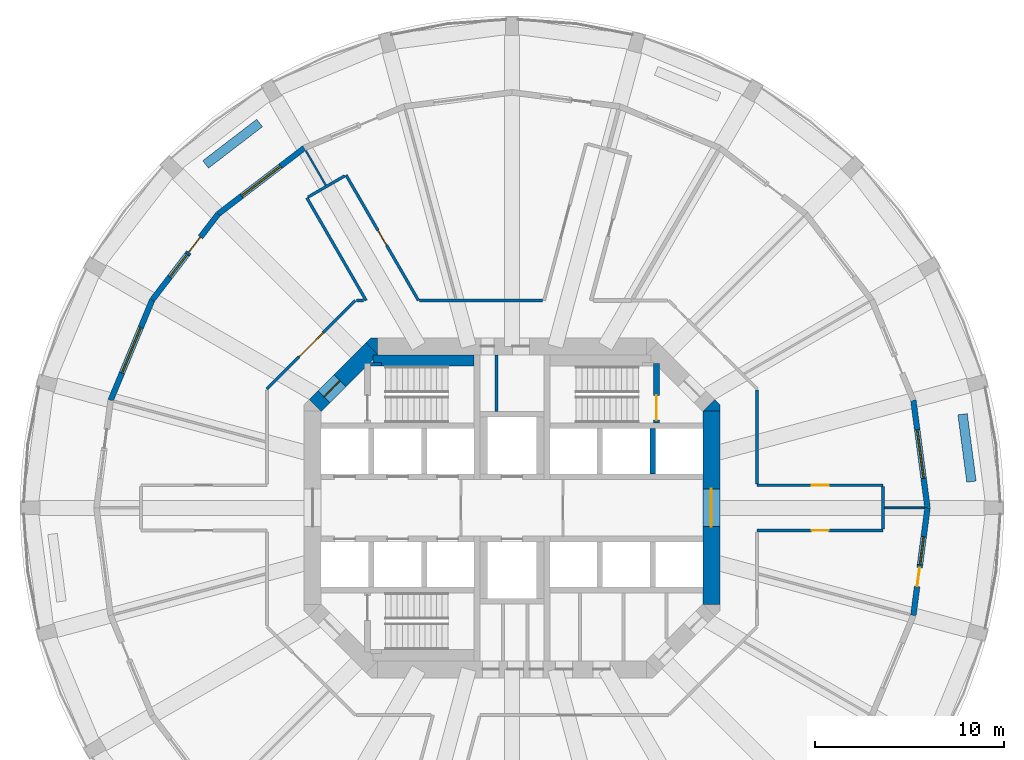
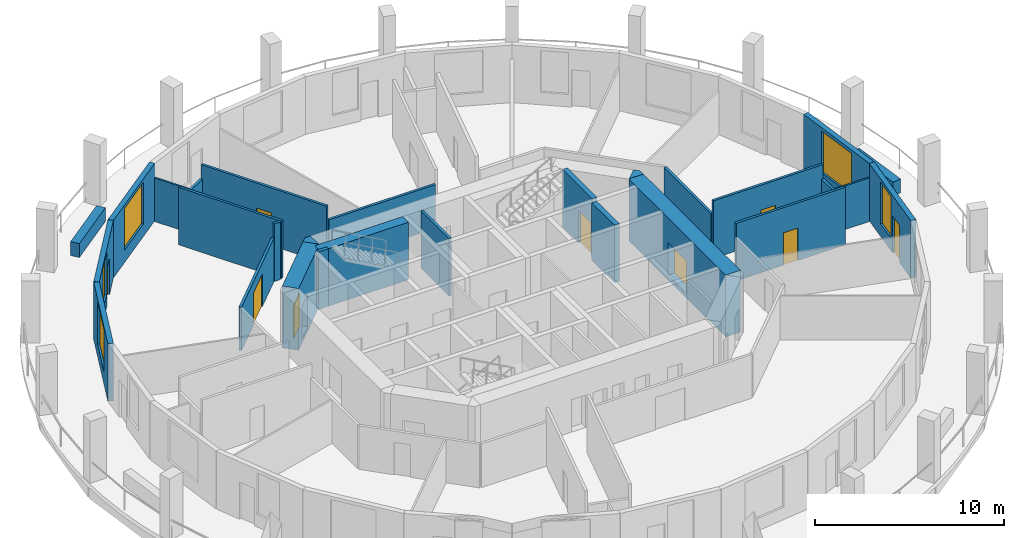
# One storey, part 5 of 9: 28 walls, 9 doors, 5 windows, 14 openings.
"""IFC4 building model written with IfcOpenShell, lengths in metres."""

from ifc_helpers import new_model, si_unit, direction, frame, frame_2d, origin, place, context, subcontext, project, spatial, polyline, rectangle, outline, extrude, material, layer, layer_set, type_object, element, fill, save


model = new_model("IFC4")

# Units and contexts
model_context = context("Model", 3, precision=1e-05, world=origin(), true_north=direction((0.0, 1.0)))
body_context = subcontext(model_context, "Body", "Model", "MODEL_VIEW")
ifc_project = project(units=[si_unit("LENGTHUNIT", "METRE"), si_unit("AREAUNIT", "SQUARE_METRE"), si_unit("VOLUMEUNIT", "CUBIC_METRE"), si_unit("PLANEANGLEUNIT", "RADIAN"), si_unit("MASSUNIT", "GRAM", prefix="KILO")], contexts=[model_context])

# Site, building, storey
site_placement = place(None, origin())
site = spatial("IfcSite", under=ifc_project, at=site_placement, CompositionType="ELEMENT")
building_placement = place(site_placement, origin())
building = spatial("IfcBuilding", under=site, at=building_placement, Name="Torre Triforio", CompositionType="ELEMENT")
storey_placement = place(building_placement, frame((0.0, 0.0, 106.60009765625)))
storey = spatial("IfcBuildingStorey", under=building, at=storey_placement, Name="L23", CompositionType="ELEMENT", Elevation=106.60009765625)

# Wall, opening, door
ifc_material_1 = material(Name="Concrete C60", Category="concrete")
ifc_layer_1 = layer(ifc_material_1, 0.89990234375)
ifc_layer_set_1 = layer_set([ifc_layer_1], Name="Concrete C60")
wall_type_1 = type_object("IfcWallType", Name="Core wall 900 mm C60 EI 120", PredefinedType="SHEAR", material=ifc_layer_set_1)
wall_1_placement = place(storey_placement, frame((10.550048828125, -5.1298828125, -0.280029296875), z_axis=(0.0, 0.0, 1.0), x_axis=(0.0, 1.0, 0.0)))
wall_1 = element("IfcWall", 1, at=wall_1_placement, inside=storey, type_object=wall_type_1, Name="Core wall", PredefinedType="SHEAR", context=body_context, shape_type="SweptSolid", body=[
    extrude(rectangle(XDim=10.259765625, YDim=0.89990234375, at=frame_2d((5.1298828125, 0.0))), origin(), (0.0, 0.0, 1.0), 4.0),
])
opening_1_placement = place(wall_1_placement, frame((4.1298828125, 0.0, 0.280029296875)))
opening_1 = element("IfcOpeningElement", 2, at=opening_1_placement, cuts=wall_1, Name="Opening E-RING", PredefinedType="OPENING", context=body_context, shape_type="SweptSolid", body=[
    extrude(rectangle(XDim=2.0, YDim=2.10009765625, at=frame_2d((1.0, 1.050048828125))), frame((0.0, 0.4599609375, 0.0), z_axis=(0.0, -1.0, 0.0), x_axis=(1.0, 0.0, 0.0)), (0.0, 0.0, 1.0), 0.919921875),
])
ifc_material_2 = material(Name="Hollow metal fire door leaf")
door_type_1 = type_object("IfcDoorType", Name="Lobby door 2000 x 2100 EI 60", OperationType="DOUBLE_DOOR_SINGLE_SWING", PredefinedType="DOOR", material=ifc_material_2)
door_1_placement = place(opening_1_placement, origin())
door_1 = element("IfcDoor", 3, at=door_1_placement, inside=storey, type_object=door_type_1, Name="Core door E-RING", OperationType="DOUBLE_DOOR_SINGLE_SWING", OverallHeight=2.10009765625, OverallWidth=2.0, PredefinedType="DOOR", context=body_context, shape_type="SweptSolid", body=[
    extrude(rectangle(XDim=2.0, YDim=2.10009765625, at=frame_2d((1.0, 1.050048828125))), frame((0.0, 0.02490234375, 0.0), z_axis=(0.0, -1.0, 0.0), x_axis=(1.0, 0.0, 0.0)), (0.0, 0.0, 1.0), 0.050048828125),
])
fill(opening_1, door_1)

wall_2_placement = place(storey_placement, frame((-10.418212890625, 5.418212890625, -0.280029296875), z_axis=(0.0, 0.0, 1.0), x_axis=(0.707106781187, 0.707106781187, 0.0)))
wall_2 = element("IfcWall", 4, at=wall_2_placement, inside=storey, type_object=wall_type_1, Name="Core wall", PredefinedType="SHEAR", context=body_context, shape_type="SweptSolid", body=[
    extrude(rectangle(XDim=4.24267578125, YDim=0.89990234375, at=frame_2d((2.121337890625, 0.0))), origin(), (0.0, 0.0, 1.0), 4.0),
])
opening_2_placement = place(wall_2_placement, frame((0.64990234375, 0.0, 0.280029296875)))
opening_2 = element("IfcOpeningElement", 5, at=opening_2_placement, cuts=wall_2, Name="Opening ST1-EXIT", PredefinedType="OPENING", context=body_context, shape_type="SweptSolid", body=[
    extrude(rectangle(XDim=1.199951171875, YDim=2.10009765625, at=frame_2d((0.60009765625, 1.050048828125))), frame((0.0, 0.4599609375, 0.0), z_axis=(0.0, -1.0, 0.0), x_axis=(1.0, 0.0, 0.0)), (0.0, 0.0, 1.0), 0.919921875),
])
door_type_2 = type_object("IfcDoorType", Name="Stair lobby door 1200 x 2100 EI 60", OperationType="NOTDEFINED", PredefinedType="DOOR", material=ifc_material_2)
door_2_placement = place(opening_2_placement, origin())
door_2 = element("IfcDoor", 6, at=door_2_placement, inside=storey, type_object=door_type_2, Name="Core door ST1-EXIT", OperationType="SINGLE_SWING_RIGHT", OverallHeight=2.10009765625, OverallWidth=1.199951171875, PredefinedType="DOOR", context=body_context, shape_type="SweptSolid", body=[
    extrude(rectangle(XDim=1.199951171875, YDim=2.10009765625, at=frame_2d((0.60009765625, 1.050048828125))), frame((0.0, 0.02490234375, 0.0), z_axis=(0.0, -1.0, 0.0), x_axis=(1.0, 0.0, 0.0)), (0.0, 0.0, 1.0), 0.050048828125),
])
fill(opening_2, door_2)

# Walls
wall_3_placement = place(storey_placement, frame((0.0, 0.0, -0.280029296875)))
element("IfcWall", 7, at=wall_3_placement, inside=storey, type_object=wall_type_1, Name="Core wall", PredefinedType="SHEAR", context=body_context, shape_type="SweptSolid", body=[
    extrude(outline(polyline([(11.0, 5.472900390625), (11.0, 5.1298828125), (10.1298828125, 5.1298828125), (10.736328125, 5.736328125), (11.0, 5.472900390625)])), origin(), (0.0, 0.0, 1.0), 4.0),
])
wall_4_placement = place(storey_placement, frame((0.0, 0.0, -0.280029296875)))
element("IfcWall", 8, at=wall_4_placement, inside=storey, type_object=wall_type_1, Name="Core wall", PredefinedType="SHEAR", context=body_context, shape_type="SweptSolid", body=[
    extrude(outline(polyline([(-7.472900390625, 9.0), (-7.1298828125, 9.0), (-7.1298828125, 8.1298828125), (-7.736328125, 8.736328125), (-7.472900390625, 9.0)])), origin(), (0.0, 0.0, 1.0), 4.0),
])

# Wall, opening, door
ifc_material_3 = material(Name="Plasterboard on metal studs")
ifc_layer_2 = layer(ifc_material_3, 0.14990234375)
ifc_layer_set_2 = layer_set([ifc_layer_2], Name="Plasterboard on metal studs")
wall_type_2 = type_object("IfcWallType", Name="Corridor and tenancy wall 150 mm EI 60", PredefinedType="PARTITIONING", material=ifc_layer_set_2)
wall_5_placement = place(storey_placement, frame((-12.97509765625, 6.291015625, 0.0), z_axis=(0.0, 0.0, 1.0), x_axis=(0.707106781187, 0.707106781187, 0.0)))
wall_5 = element("IfcWall", 9, at=wall_5_placement, inside=storey, type_object=wall_type_2, Name="Partition 7", PredefinedType="PARTITIONING", context=body_context, shape_type="SweptSolid", body=[
    extrude(rectangle(XDim=6.624267578125, YDim=0.14990234375, at=frame_2d((3.31201171875, 0.0))), origin(), (0.0, 0.0, 1.0), 2.81982421875),
])
opening_3_placement = place(wall_5_placement, frame((2.412109375, 0.0, 0.0)))
opening_3 = element("IfcOpeningElement", 10, at=opening_3_placement, cuts=wall_5, Name="Opening N7-01", PredefinedType="OPENING", context=body_context, shape_type="SweptSolid", body=[
    extrude(rectangle(XDim=1.800048828125, YDim=2.10009765625, at=frame_2d((0.89990234375, 1.050048828125))), frame((0.0, 0.0849609375, 0.0), z_axis=(0.0, -1.0, 0.0), x_axis=(1.0, 0.0, 0.0)), (0.0, 0.0, 1.0), 0.169921875),
])
ifc_material_4 = material(Name="Timber", Category="wood")
door_type_3 = type_object("IfcDoorType", Name="Door 1800 x 2100 double leaf EI 30", OperationType="DOUBLE_DOOR_SINGLE_SWING", PredefinedType="DOOR", material=ifc_material_4)
door_3_placement = place(opening_3_placement, origin())
door_3 = element("IfcDoor", 11, at=door_3_placement, inside=storey, type_object=door_type_3, Name="Door N7-01", OperationType="DOUBLE_DOOR_SINGLE_SWING", OverallHeight=2.10009765625, OverallWidth=1.800048828125, PredefinedType="DOOR", context=body_context, shape_type="SweptSolid", body=[
    extrude(rectangle(XDim=1.800048828125, YDim=2.10009765625, at=frame_2d((0.89990234375, 1.050048828125))), frame((0.0, 0.02490234375, 0.0), z_axis=(0.0, -1.0, 0.0), x_axis=(1.0, 0.0, 0.0)), (0.0, 0.0, 1.0), 0.050048828125),
])
fill(opening_3, door_3)

# Walls
wall_6_placement = place(storey_placement, frame((-8.23828125, 10.97509765625, 0.0), z_axis=(0.0, 0.0, 1.0), x_axis=(1.0, 0.0, 0.0)))
element("IfcWall", 12, at=wall_6_placement, inside=storey, type_object=wall_type_2, Name="Partition 8", PredefinedType="PARTITIONING", context=body_context, shape_type="SweptSolid", body=[
    extrude(rectangle(XDim=0.38623046875, YDim=0.14990234375, at=frame_2d((0.193115234375, 0.0))), origin(), (0.0, 0.0, 1.0), 3.719970703125),
])
wall_7_placement = place(storey_placement, frame((-7.72216796875, 10.97509765625, 0.0), z_axis=(0.0, 0.0, 1.0), x_axis=(-0.499988183684, 0.86603222583, 0.0)))
element("IfcWall", 13, at=wall_7_placement, inside=storey, type_object=wall_type_2, Name="Partition 9", PredefinedType="PARTITIONING", context=body_context, shape_type="SweptSolid", body=[
    extrude(rectangle(XDim=6.282958984375, YDim=0.14990234375, at=frame_2d((3.1416015625, 0.0))), origin(), (0.0, 0.0, 1.0), 3.719970703125),
])
wall_8_placement = place(storey_placement, frame((-10.798583984375, 16.453857421875, 0.0), z_axis=(0.0, 0.0, 1.0), x_axis=(0.866017533419, 0.500013631625, 0.0)))
element("IfcWall", 14, at=wall_8_placement, inside=storey, type_object=wall_type_2, Name="Partition 10", PredefinedType="PARTITIONING", context=body_context, shape_type="SweptSolid", body=[
    extrude(rectangle(XDim=2.25, YDim=0.14990234375, at=frame_2d((1.125, 0.0))), origin(), (0.0, 0.0, 1.0), 2.81982421875),
])

# Wall, opening, door
wall_9_placement = place(storey_placement, frame((-8.78515625, 17.6162109375, 0.0), z_axis=(0.0, 0.0, 1.0), x_axis=(0.500021918639, -0.866012748683, 0.0)))
wall_9 = element("IfcWall", 15, at=wall_9_placement, inside=storey, type_object=wall_type_2, Name="Partition 11", PredefinedType="PARTITIONING", context=body_context, shape_type="SweptSolid", body=[
    extrude(rectangle(XDim=7.668701171875, YDim=0.14990234375, at=frame_2d((3.83447265625, 0.0))), origin(), (0.0, 0.0, 1.0), 3.719970703125),
])
opening_4_placement = place(wall_9_placement, frame((3.38427734375, 0.0, 0.0)))
opening_4 = element("IfcOpeningElement", 16, at=opening_4_placement, cuts=wall_9, Name="Opening N7-14", PredefinedType="OPENING", context=body_context, shape_type="SweptSolid", body=[
    extrude(rectangle(XDim=0.89990234375, YDim=2.10009765625, at=frame_2d((0.449951171875, 1.050048828125))), frame((0.0, 0.0849609375, 0.0), z_axis=(0.0, -1.0, 0.0), x_axis=(1.0, 0.0, 0.0)), (0.0, 0.0, 1.0), 0.169921875),
])
door_type_4 = type_object("IfcDoorType", Name="Door 900 x 2100 single leaf EI 30", OperationType="NOTDEFINED", PredefinedType="DOOR", material=ifc_material_4)
door_4_placement = place(opening_4_placement, origin())
door_4 = element("IfcDoor", 17, at=door_4_placement, inside=storey, type_object=door_type_4, Name="Door N7-14", OperationType="SINGLE_SWING_RIGHT", OverallHeight=2.10009765625, OverallWidth=0.89990234375, PredefinedType="DOOR", context=body_context, shape_type="SweptSolid", body=[
    extrude(rectangle(XDim=0.89990234375, YDim=2.10009765625, at=frame_2d((0.449951171875, 1.050048828125))), frame((0.0, 0.02490234375, 0.0), z_axis=(0.0, -1.0, 0.0), x_axis=(1.0, 0.0, 0.0)), (0.0, 0.0, 1.0), 0.050048828125),
])
fill(opening_4, door_4)

# Walls
wall_10_placement = place(storey_placement, frame((-4.8857421875, 10.97509765625, 0.0), z_axis=(0.0, 0.0, 1.0), x_axis=(1.0, 0.0, 0.0)))
element("IfcWall", 18, at=wall_10_placement, inside=storey, type_object=wall_type_2, Name="Partition 12", PredefinedType="PARTITIONING", context=body_context, shape_type="SweptSolid", body=[
    extrude(rectangle(XDim=6.51171875, YDim=0.14990234375, at=frame_2d((3.255859375, 0.0))), origin(), (0.0, 0.0, 1.0), 2.81982421875),
])
wall_11_placement = place(storey_placement, frame((12.97509765625, 6.23828125, 0.0), z_axis=(0.0, 0.0, 1.0), x_axis=(0.0, -1.0, 0.0)))
element("IfcWall", 19, at=wall_11_placement, inside=storey, type_object=wall_type_2, Name="Partition 20", PredefinedType="PARTITIONING", context=body_context, shape_type="SweptSolid", body=[
    extrude(rectangle(XDim=4.96337890625, YDim=0.14990234375, at=frame_2d((2.481689453125, 0.0))), origin(), (0.0, 0.0, 1.0), 2.81982421875),
])

# Wall, opening, door
wall_12_placement = place(storey_placement, frame((12.97509765625, 1.199951171875, 0.0), z_axis=(0.0, 0.0, 1.0), x_axis=(1.0, 0.0, 0.0)))
wall_12 = element("IfcWall", 20, at=wall_12_placement, inside=storey, type_object=wall_type_2, Name="Partition 21", PredefinedType="PARTITIONING", context=body_context, shape_type="SweptSolid", body=[
    extrude(rectangle(XDim=6.673583984375, YDim=0.14990234375, at=frame_2d((3.3369140625, 0.0))), origin(), (0.0, 0.0, 1.0), 3.719970703125),
])
opening_5_placement = place(wall_12_placement, frame((2.886962890625, 0.0, 0.0)))
opening_5 = element("IfcOpeningElement", 21, at=opening_5_placement, cuts=wall_12, Name="Opening N7-09", PredefinedType="OPENING", context=body_context, shape_type="SweptSolid", body=[
    extrude(rectangle(XDim=0.89990234375, YDim=2.10009765625, at=frame_2d((0.449951171875, 1.050048828125))), frame((0.0, 0.0849609375, 0.0), z_axis=(0.0, -1.0, 0.0), x_axis=(1.0, 0.0, 0.0)), (0.0, 0.0, 1.0), 0.169921875),
])
door_5_placement = place(opening_5_placement, origin())
door_5 = element("IfcDoor", 22, at=door_5_placement, inside=storey, type_object=door_type_4, Name="Door N7-09", OperationType="SINGLE_SWING_RIGHT", OverallHeight=2.10009765625, OverallWidth=0.89990234375, PredefinedType="DOOR", context=body_context, shape_type="SweptSolid", body=[
    extrude(rectangle(XDim=0.89990234375, YDim=2.10009765625, at=frame_2d((0.449951171875, 1.050048828125))), frame((0.0, 0.02490234375, 0.0), z_axis=(0.0, -1.0, 0.0), x_axis=(1.0, 0.0, 0.0)), (0.0, 0.0, 1.0), 0.050048828125),
])
fill(opening_5, door_5)

# Wall
wall_13_placement = place(storey_placement, frame((19.648681640625, 1.125, 0.0), z_axis=(0.0, 0.0, 1.0), x_axis=(0.0, -1.0, 0.0)))
element("IfcWall", 23, at=wall_13_placement, inside=storey, type_object=wall_type_2, Name="Partition 22", PredefinedType="PARTITIONING", context=body_context, shape_type="SweptSolid", body=[
    extrude(rectangle(XDim=2.25, YDim=0.14990234375, at=frame_2d((1.125, 0.0))), origin(), (0.0, 0.0, 1.0), 2.81982421875),
])

# Wall, opening, door
wall_14_placement = place(storey_placement, frame((19.648681640625, -1.199951171875, 0.0), z_axis=(0.0, 0.0, 1.0), x_axis=(-1.0, 0.0, 0.0)))
wall_14 = element("IfcWall", 24, at=wall_14_placement, inside=storey, type_object=wall_type_2, Name="Partition 23", PredefinedType="PARTITIONING", context=body_context, shape_type="SweptSolid", body=[
    extrude(rectangle(XDim=6.673583984375, YDim=0.14990234375, at=frame_2d((3.3369140625, 0.0))), origin(), (0.0, 0.0, 1.0), 3.719970703125),
])
opening_6_placement = place(wall_14_placement, frame((2.886962890625, 0.0, 0.0)))
opening_6 = element("IfcOpeningElement", 25, at=opening_6_placement, cuts=wall_14, Name="Opening N7-08", PredefinedType="OPENING", context=body_context, shape_type="SweptSolid", body=[
    extrude(rectangle(XDim=0.89990234375, YDim=2.10009765625, at=frame_2d((0.449951171875, 1.050048828125))), frame((0.0, 0.0849609375, 0.0), z_axis=(0.0, -1.0, 0.0), x_axis=(1.0, 0.0, 0.0)), (0.0, 0.0, 1.0), 0.169921875),
])
door_6_placement = place(opening_6_placement, origin())
door_6 = element("IfcDoor", 26, at=door_6_placement, inside=storey, type_object=door_type_4, Name="Door N7-08", OperationType="SINGLE_SWING_RIGHT", OverallHeight=2.10009765625, OverallWidth=0.89990234375, PredefinedType="DOOR", context=body_context, shape_type="SweptSolid", body=[
    extrude(rectangle(XDim=0.89990234375, YDim=2.10009765625, at=frame_2d((0.449951171875, 1.050048828125))), frame((0.0, 0.02490234375, 0.0), z_axis=(0.0, -1.0, 0.0), x_axis=(1.0, 0.0, 0.0)), (0.0, 0.0, 1.0), 0.050048828125),
])
fill(opening_6, door_6)

# Walls
ifc_layer_3 = layer(ifc_material_3, 0.10009765625)
ifc_layer_set_3 = layer_set([ifc_layer_3], Name="Plasterboard on metal studs")
wall_type_3 = type_object("IfcWallType", Name="Partition 100 mm board on metal studs", PredefinedType="PARTITIONING", material=ifc_layer_set_3)
for number, where, z_axis, x_axis, name in (
    (27, (19.7236328125, 0.0, 0.0), (0.0, 0.0, 1.0), (1.0, 0.0, 0.0), "Partition 31"),
    (28, (-9.86181640625, 17.081298828125, 0.0), (0.0, 0.0, 1.0), (-0.500065834316, 0.865987390988, 0.0), "Partition 37"),
):
    element("IfcWall", number, at=place(storey_placement, frame(where, z_axis=z_axis, x_axis=x_axis)), inside=storey, type_object=wall_type_3, Name=name, PredefinedType="PARTITIONING", context=body_context, shape_type="SweptSolid", body=[
        extrude(rectangle(XDim=2.113037109375, YDim=0.10009765625, at=frame_2d((1.056640625, 0.0))), origin(), (0.0, 0.0, 1.0), 2.81982421875),
    ])
ifc_material_5 = material(Name="Block and board partition")
ifc_layer_4 = layer(ifc_material_5, 0.14990234375)
ifc_layer_set_4 = layer_set([ifc_layer_4], Name="Block and board partition")
wall_type_4 = type_object("IfcWallType", Name="Partition 150 mm EI 120", PredefinedType="PARTITIONING", material=ifc_layer_set_4)
wall_15_placement = place(storey_placement, frame((-0.824951171875, 5.10009765625, 0.0), z_axis=(0.0, 0.0, 1.0), x_axis=(0.0, 1.0, 0.0)))
element("IfcWall", 29, at=wall_15_placement, inside=storey, type_object=wall_type_4, Name="Partition", PredefinedType="PARTITIONING", context=body_context, shape_type="SweptSolid", body=[
    extrude(rectangle(XDim=3.0, YDim=0.14990234375, at=frame_2d((1.5, 0.0))), origin(), (0.0, 0.0, 1.0), 3.719970703125),
])
ifc_material_6 = material(Name="Limestone cladding", Category="masonry")
ifc_layer_5 = layer(ifc_material_6, 0.10009765625)
ifc_material_7 = material(Name="Concrete C40", Category="concrete")
ifc_layer_6 = layer(ifc_material_7, 0.39990234375)
ifc_layer_set_5 = layer_set([ifc_layer_5, ifc_layer_6], Name="Limestone cladding / Concrete C40")
wall_type_5 = type_object("IfcWallType", Name="Planter wall 500", PredefinedType="PARAPET", material=ifc_layer_set_5)
for number, where, z_axis, x_axis, name in (
    (30, (24.3271484375, 1.38720703125, 0.0), (0.0, 0.0, 1.0), (-0.130551000099, 0.991441595039, 0.0), "Planter L23 bay 01"),
    (31, (-13.364990234375, 20.374267578125, 0.0), (0.0, 0.0, 1.0), (-0.793326845617, -0.608795955984, 0.0), "Planter L23 bay 09"),
):
    element("IfcWall", number, at=place(storey_placement, frame(where, z_axis=z_axis, x_axis=x_axis)), inside=storey, type_object=wall_type_5, Name=name, PredefinedType="PARAPET", context=body_context, shape_type="SweptSolid", body=[
        extrude(rectangle(XDim=3.599853515625, YDim=0.5, at=frame_2d((1.7998046875, 0.0))), origin(), (0.0, 0.0, 1.0), 0.89990234375),
    ])
ifc_layer_7 = layer(ifc_material_1, 0.300048828125)
ifc_layer_set_6 = layer_set([ifc_layer_7], Name="Concrete C60")
wall_type_6 = type_object("IfcWallType", Name="Shaft wall 300 mm C60 EI 120", PredefinedType="SOLIDWALL", material=ifc_layer_set_6)
wall_16_placement = place(storey_placement, frame((7.449951171875, 1.800048828125, 0.0), z_axis=(0.0, 0.0, 1.0), x_axis=(0.0, 1.0, 0.0)))
element("IfcWall", 32, at=wall_16_placement, inside=storey, type_object=wall_type_6, Name="Shaft wall", PredefinedType="SOLIDWALL", context=body_context, shape_type="SweptSolid", body=[
    extrude(rectangle(XDim=2.39990234375, YDim=0.300048828125, at=frame_2d((1.199951171875, 0.0))), origin(), (0.0, 0.0, 1.0), 3.719970703125),
])
ifc_layer_8 = layer(ifc_material_1, 0.199951171875)
ifc_layer_set_7 = layer_set([ifc_layer_8], Name="Concrete C60")
wall_type_7 = type_object("IfcWallType", Name="Stair wall 200 mm C60 EI 120", PredefinedType="SHEAR", material=ifc_layer_set_7)
wall_17_placement = place(storey_placement, frame((-7.5, 7.60009765625, 0.0), z_axis=(0.0, 0.0, 1.0), x_axis=(1.0, 0.0, 0.0)))
element("IfcWall", 33, at=wall_17_placement, inside=storey, type_object=wall_type_7, Name="Stair wall", PredefinedType="SHEAR", context=body_context, shape_type="SweptSolid", body=[
    extrude(rectangle(XDim=0.60009765625, YDim=0.199951171875, at=frame_2d((0.300048828125, 0.0))), origin(), (0.0, 0.0, 1.0), 3.719970703125),
])

# Wall, opening, door
ifc_layer_9 = layer(ifc_material_1, 0.300048828125)
ifc_layer_set_8 = layer_set([ifc_layer_9], Name="Concrete C60")
wall_type_8 = type_object("IfcWallType", Name="Stair wall 300 mm C60 EI 120", PredefinedType="SHEAR", material=ifc_layer_set_8)
wall_18_placement = place(storey_placement, frame((7.64990234375, 4.5, 0.0), z_axis=(0.0, 0.0, 1.0), x_axis=(0.0, 1.0, 0.0)))
wall_18 = element("IfcWall", 34, at=wall_18_placement, inside=storey, type_object=wall_type_8, Name="Stair wall", PredefinedType="SHEAR", context=body_context, shape_type="SweptSolid", body=[
    extrude(rectangle(XDim=3.139892578125, YDim=0.300048828125, at=frame_2d((1.56982421875, 0.0))), origin(), (0.0, 0.0, 1.0), 3.719970703125),
])
opening_7_placement = place(wall_18_placement, frame((0.139892578125, 0.0, 0.0)))
opening_7 = element("IfcOpeningElement", 35, at=opening_7_placement, cuts=wall_18, Name="Opening ST2-STA", PredefinedType="OPENING", context=body_context, shape_type="SweptSolid", body=[
    extrude(rectangle(XDim=1.320068359375, YDim=2.10009765625, at=frame_2d((0.66015625, 1.050048828125))), frame((0.0, 0.159912109375, 0.0), z_axis=(0.0, -1.0, 0.0), x_axis=(1.0, 0.0, 0.0)), (0.0, 0.0, 1.0), 0.320068359375),
])
door_type_5 = type_object("IfcDoorType", Name="Stair door 1320 x 2100 EI 90", OperationType="DOUBLE_DOOR_SINGLE_SWING", PredefinedType="DOOR", material=ifc_material_2)
door_7_placement = place(opening_7_placement, origin())
door_7 = element("IfcDoor", 36, at=door_7_placement, inside=storey, type_object=door_type_5, Name="Core door ST2-ST", OperationType="DOUBLE_DOOR_SINGLE_SWING", OverallHeight=2.10009765625, OverallWidth=1.320068359375, PredefinedType="DOOR", context=body_context, shape_type="SweptSolid", body=[
    extrude(rectangle(XDim=1.320068359375, YDim=2.10009765625, at=frame_2d((0.66015625, 1.050048828125))), frame((0.0, 0.02490234375, 0.0), z_axis=(0.0, -1.0, 0.0), x_axis=(1.0, 0.0, 0.0)), (0.0, 0.0, 1.0), 0.050048828125),
])
fill(opening_7, door_7)

# Wall
ifc_layer_10 = layer(ifc_material_1, 0.60009765625)
ifc_layer_set_9 = layer_set([ifc_layer_10], Name="Concrete C60")
wall_type_9 = type_object("IfcWallType", Name="Stair wall 600 mm C60 EI 120", PredefinedType="SHEAR", material=ifc_layer_set_9)
wall_19_placement = place(storey_placement, frame((-7.3701171875, 7.800048828125, 0.0), z_axis=(0.0, 0.0, 1.0), x_axis=(1.0, 0.0, 0.0)))
element("IfcWall", 37, at=wall_19_placement, inside=storey, type_object=wall_type_9, Name="Stair wall", PredefinedType="SHEAR", context=body_context, shape_type="SweptSolid", body=[
    extrude(rectangle(XDim=5.3701171875, YDim=0.60009765625, at=frame_2d((2.68505859375, 0.0))), origin(), (0.0, 0.0, 1.0), 3.719970703125),
])

# Wall, opening, window
ifc_layer_11 = layer(ifc_material_6, 0.10009765625)
ifc_layer_12 = layer(ifc_material_7, 0.199951171875)
ifc_layer_set_10 = layer_set([ifc_layer_11, ifc_layer_12], Name="Limestone cladding / Concrete C40")
wall_type_10 = type_object("IfcWallType", Name="Stone-faced composite wall 300", PredefinedType="STANDARD", material=ifc_layer_set_10)
wall_20_placement = place(storey_placement, frame((22.0, 0.0, 0.0), z_axis=(0.0, 0.0, 1.0), x_axis=(-0.130503995834, 0.991447783331, 0.0)))
wall_20 = element("IfcWall", 38, at=wall_20_placement, inside=storey, type_object=wall_type_10, Name="External wall L23 bay 01", PredefinedType="STANDARD", context=body_context, shape_type="SweptSolid", body=[
    extrude(rectangle(XDim=5.7431640625, YDim=0.300048828125, at=frame_2d((2.87158203125, 0.0))), origin(), (0.0, 0.0, 1.0), 3.719970703125),
])
opening_8_placement = place(wall_20_placement, frame((1.571533203125, 0.0, 0.800048828125)))
opening_8 = element("IfcOpeningElement", 39, at=opening_8_placement, cuts=wall_20, Name="Opening N7-W01", PredefinedType="OPENING", context=body_context, shape_type="SweptSolid", body=[
    extrude(rectangle(XDim=2.60009765625, YDim=2.699951171875, at=frame_2d((1.300048828125, 1.35009765625))), frame((0.0, 0.159912109375, 0.0), z_axis=(0.0, -1.0, 0.0), x_axis=(1.0, 0.0, 0.0)), (0.0, 0.0, 1.0), 0.320068359375),
])
ifc_material_8 = material(Name="Aluminium frame with clear double glazing", Category="aluminium")
window_type_1 = type_object("IfcWindowType", Name="Punched window 2600 x 2700", PartitioningType="DOUBLE_PANEL_VERTICAL", PredefinedType="WINDOW", material=ifc_material_8)
window_1_placement = place(opening_8_placement, origin())
window_1 = element("IfcWindow", 40, at=window_1_placement, inside=storey, type_object=window_type_1, Name="Window EWN2 L23 bay 01", OverallHeight=2.699951171875, OverallWidth=2.60009765625, PartitioningType="SINGLE_PANEL", PredefinedType="WINDOW", context=body_context, shape_type="SweptSolid", body=[
    extrude(rectangle(XDim=2.60009765625, YDim=2.699951171875, at=frame_2d((1.300048828125, 1.35009765625))), frame((0.0, 0.030029296875, 0.0), z_axis=(0.0, -1.0, 0.0), x_axis=(1.0, 0.0, 0.0)), (0.0, 0.0, 1.0), 0.06005859375),
])
fill(opening_8, window_1)

wall_21_placement = place(storey_placement, frame((-11.0, 19.052490234375, 0.0), z_axis=(0.0, 0.0, 1.0), x_axis=(-0.793366142647, -0.608744744291, 0.0)))
wall_21 = element("IfcWall", 41, at=wall_21_placement, inside=storey, type_object=wall_type_10, Name="External wall L23 bay 09", PredefinedType="STANDARD", context=body_context, shape_type="SweptSolid", body=[
    extrude(rectangle(XDim=5.7431640625, YDim=0.300048828125, at=frame_2d((2.87158203125, 0.0))), origin(), (0.0, 0.0, 1.0), 3.719970703125),
])
opening_9_placement = place(wall_21_placement, frame((1.571533203125, 0.0, 0.800048828125)))
opening_9 = element("IfcOpeningElement", 42, at=opening_9_placement, cuts=wall_21, Name="Opening N7-W09", PredefinedType="OPENING", context=body_context, shape_type="SweptSolid", body=[
    extrude(rectangle(XDim=2.60009765625, YDim=2.699951171875, at=frame_2d((1.300048828125, 1.35009765625))), frame((0.0, 0.159912109375, 0.0), z_axis=(0.0, -1.0, 0.0), x_axis=(1.0, 0.0, 0.0)), (0.0, 0.0, 1.0), 0.320068359375),
])
window_2_placement = place(opening_9_placement, origin())
window_2 = element("IfcWindow", 43, at=window_2_placement, inside=storey, type_object=window_type_1, Name="Window EWN2 L23 bay 09", OverallHeight=2.699951171875, OverallWidth=2.60009765625, PartitioningType="SINGLE_PANEL", PredefinedType="WINDOW", context=body_context, shape_type="SweptSolid", body=[
    extrude(rectangle(XDim=2.60009765625, YDim=2.699951171875, at=frame_2d((1.300048828125, 1.35009765625))), frame((0.0, 0.030029296875, 0.0), z_axis=(0.0, -1.0, 0.0), x_axis=(1.0, 0.0, 0.0)), (0.0, 0.0, 1.0), 0.06005859375),
])
fill(opening_9, window_2)

# Wall, openings, door, window
wall_22_placement = place(storey_placement, frame((-15.556396484375, 15.556396484375, 0.0), z_axis=(0.0, 0.0, 1.0), x_axis=(-0.608744744291, -0.793366142647, 0.0)))
wall_22 = element("IfcWall", 44, at=wall_22_placement, inside=storey, type_object=wall_type_10, Name="External wall L23 bay 10", PredefinedType="STANDARD", context=body_context, shape_type="SweptSolid", body=[
    extrude(rectangle(XDim=5.7431640625, YDim=0.300048828125, at=frame_2d((2.87158203125, 0.0))), origin(), (0.0, 0.0, 1.0), 3.719970703125),
])
opening_10_placement = place(wall_22_placement, frame((1.546630859375, 0.0, 0.0)))
opening_10 = element("IfcOpeningElement", 45, at=opening_10_placement, cuts=wall_22, Name="Opening N7-D10", PredefinedType="OPENING", context=body_context, shape_type="SweptSolid", body=[
    extrude(rectangle(XDim=1.0, YDim=2.39990234375, at=frame_2d((0.5, 1.199951171875))), frame((0.0, 0.159912109375, 0.0), z_axis=(0.0, -1.0, 0.0), x_axis=(1.0, 0.0, 0.0)), (0.0, 0.0, 1.0), 0.320068359375),
])
opening_11_placement = place(wall_22_placement, frame((2.696533203125, 0.0, 0.800048828125)))
opening_11 = element("IfcOpeningElement", 46, at=opening_11_placement, cuts=wall_22, Name="Opening N7-W10A", PredefinedType="OPENING", context=body_context, shape_type="SweptSolid", body=[
    extrude(rectangle(XDim=1.5, YDim=2.699951171875, at=frame_2d((0.75, 1.35009765625))), frame((0.0, 0.159912109375, 0.0), z_axis=(0.0, -1.0, 0.0), x_axis=(1.0, 0.0, 0.0)), (0.0, 0.0, 1.0), 0.320068359375),
])
door_type_6 = type_object("IfcDoorType", Name="Loggia door 1000 x 2400", OperationType="NOTDEFINED", PredefinedType="DOOR", material=ifc_material_8)
door_8_placement = place(opening_10_placement, origin())
door_8 = element("IfcDoor", 47, at=door_8_placement, inside=storey, type_object=door_type_6, Name="Loggia door L23 bay 10", OperationType="SINGLE_SWING_LEFT", OverallHeight=2.39990234375, OverallWidth=1.0, PredefinedType="DOOR", context=body_context, shape_type="SweptSolid", body=[
    extrude(rectangle(XDim=1.0, YDim=2.39990234375, at=frame_2d((0.5, 1.199951171875))), frame((0.0, 0.02490234375, 0.0), z_axis=(0.0, -1.0, 0.0), x_axis=(1.0, 0.0, 0.0)), (0.0, 0.0, 1.0), 0.050048828125),
])
fill(opening_10, door_8)
window_type_2 = type_object("IfcWindowType", Name="Side window 1500 x 2700", PartitioningType="SINGLE_PANEL", PredefinedType="WINDOW", material=ifc_material_8)
window_3_placement = place(opening_11_placement, origin())
window_3 = element("IfcWindow", 48, at=window_3_placement, inside=storey, type_object=window_type_2, Name="Side window EWN12 L23 bay 10", OverallHeight=2.699951171875, OverallWidth=1.5, PartitioningType="SINGLE_PANEL", PredefinedType="WINDOW", context=body_context, shape_type="SweptSolid", body=[
    extrude(rectangle(XDim=1.5, YDim=2.699951171875, at=frame_2d((0.75, 1.35009765625))), frame((0.0, 0.030029296875, 0.0), z_axis=(0.0, -1.0, 0.0), x_axis=(1.0, 0.0, 0.0)), (0.0, 0.0, 1.0), 0.06005859375),
])
fill(opening_11, window_3)

# Wall, opening, window
wall_23_placement = place(storey_placement, frame((-19.052490234375, 11.0, 0.0), z_axis=(0.0, 0.0, 1.0), x_axis=(-0.382715966503, -0.923866055759, 0.0)))
wall_23 = element("IfcWall", 49, at=wall_23_placement, inside=storey, type_object=wall_type_10, Name="External wall L23 bay 11", PredefinedType="STANDARD", context=body_context, shape_type="SweptSolid", body=[
    extrude(rectangle(XDim=5.7431640625, YDim=0.300048828125, at=frame_2d((2.87158203125, 0.0))), origin(), (0.0, 0.0, 1.0), 3.719970703125),
])
opening_12_placement = place(wall_23_placement, frame((1.571533203125, 0.0, 0.800048828125)))
opening_12 = element("IfcOpeningElement", 50, at=opening_12_placement, cuts=wall_23, Name="Opening N7-W11", PredefinedType="OPENING", context=body_context, shape_type="SweptSolid", body=[
    extrude(rectangle(XDim=2.60009765625, YDim=2.699951171875, at=frame_2d((1.300048828125, 1.35009765625))), frame((0.0, 0.159912109375, 0.0), z_axis=(0.0, -1.0, 0.0), x_axis=(1.0, 0.0, 0.0)), (0.0, 0.0, 1.0), 0.320068359375),
])
window_4_placement = place(opening_12_placement, origin())
window_4 = element("IfcWindow", 51, at=window_4_placement, inside=storey, type_object=window_type_1, Name="Window EWN2 L23 bay 11", OverallHeight=2.699951171875, OverallWidth=2.60009765625, PartitioningType="SINGLE_PANEL", PredefinedType="WINDOW", context=body_context, shape_type="SweptSolid", body=[
    extrude(rectangle(XDim=2.60009765625, YDim=2.699951171875, at=frame_2d((1.300048828125, 1.35009765625))), frame((0.0, 0.030029296875, 0.0), z_axis=(0.0, -1.0, 0.0), x_axis=(1.0, 0.0, 0.0)), (0.0, 0.0, 1.0), 0.06005859375),
])
fill(opening_12, window_4)

# Wall, openings, door, window
wall_24_placement = place(storey_placement, frame((21.25048828125, -5.694091796875, 0.0), z_axis=(0.0, 0.0, 1.0), x_axis=(0.130503995834, 0.991447783331, 0.0)))
wall_24 = element("IfcWall", 52, at=wall_24_placement, inside=storey, type_object=wall_type_10, Name="External wall L23 bay 24", PredefinedType="STANDARD", context=body_context, shape_type="SweptSolid", body=[
    extrude(rectangle(XDim=5.7431640625, YDim=0.300048828125, at=frame_2d((2.87158203125, 0.0))), origin(), (0.0, 0.0, 1.0), 3.719970703125),
])
opening_13_placement = place(wall_24_placement, frame((1.546630859375, 0.0, 0.0)))
opening_13 = element("IfcOpeningElement", 53, at=opening_13_placement, cuts=wall_24, Name="Opening N7-D24", PredefinedType="OPENING", context=body_context, shape_type="SweptSolid", body=[
    extrude(rectangle(XDim=1.0, YDim=2.39990234375, at=frame_2d((0.5, 1.199951171875))), frame((0.0, 0.159912109375, 0.0), z_axis=(0.0, -1.0, 0.0), x_axis=(1.0, 0.0, 0.0)), (0.0, 0.0, 1.0), 0.320068359375),
])
opening_14_placement = place(wall_24_placement, frame((2.696533203125, 0.0, 0.800048828125)))
opening_14 = element("IfcOpeningElement", 54, at=opening_14_placement, cuts=wall_24, Name="Opening N7-W24A", PredefinedType="OPENING", context=body_context, shape_type="SweptSolid", body=[
    extrude(rectangle(XDim=1.5, YDim=2.699951171875, at=frame_2d((0.75, 1.35009765625))), frame((0.0, 0.159912109375, 0.0), z_axis=(0.0, -1.0, 0.0), x_axis=(1.0, 0.0, 0.0)), (0.0, 0.0, 1.0), 0.320068359375),
])
door_9_placement = place(opening_13_placement, origin())
door_9 = element("IfcDoor", 55, at=door_9_placement, inside=storey, type_object=door_type_6, Name="Loggia door L23 bay 24", OperationType="SINGLE_SWING_LEFT", OverallHeight=2.39990234375, OverallWidth=1.0, PredefinedType="DOOR", context=body_context, shape_type="SweptSolid", body=[
    extrude(rectangle(XDim=1.0, YDim=2.39990234375, at=frame_2d((0.5, 1.199951171875))), frame((0.0, 0.02490234375, 0.0), z_axis=(0.0, -1.0, 0.0), x_axis=(1.0, 0.0, 0.0)), (0.0, 0.0, 1.0), 0.050048828125),
])
fill(opening_13, door_9)
window_5_placement = place(opening_14_placement, origin())
window_5 = element("IfcWindow", 56, at=window_5_placement, inside=storey, type_object=window_type_2, Name="Side window EWN12 L23 bay 24", OverallHeight=2.699951171875, OverallWidth=1.5, PartitioningType="SINGLE_PANEL", PredefinedType="WINDOW", context=body_context, shape_type="SweptSolid", body=[
    extrude(rectangle(XDim=1.5, YDim=2.699951171875, at=frame_2d((0.75, 1.35009765625))), frame((0.0, 0.030029296875, 0.0), z_axis=(0.0, -1.0, 0.0), x_axis=(1.0, 0.0, 0.0)), (0.0, 0.0, 1.0), 0.06005859375),
])
fill(opening_14, window_5)

save(model, "model.ifc")
